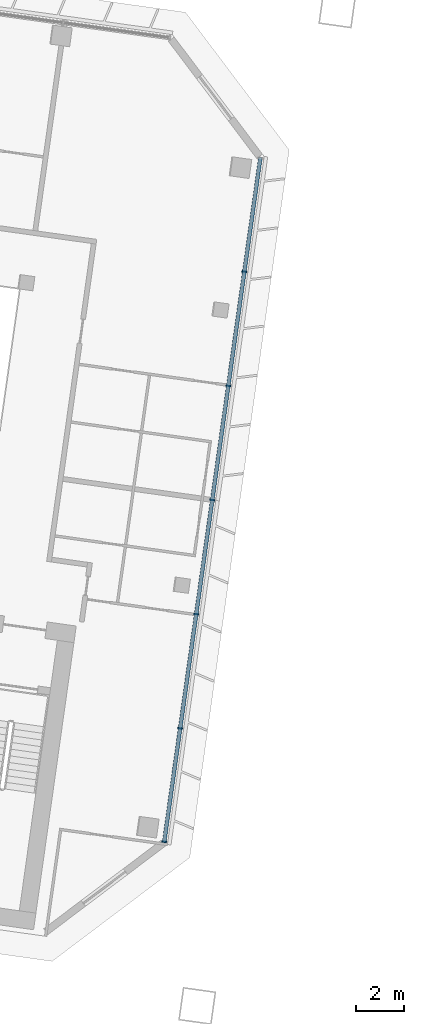
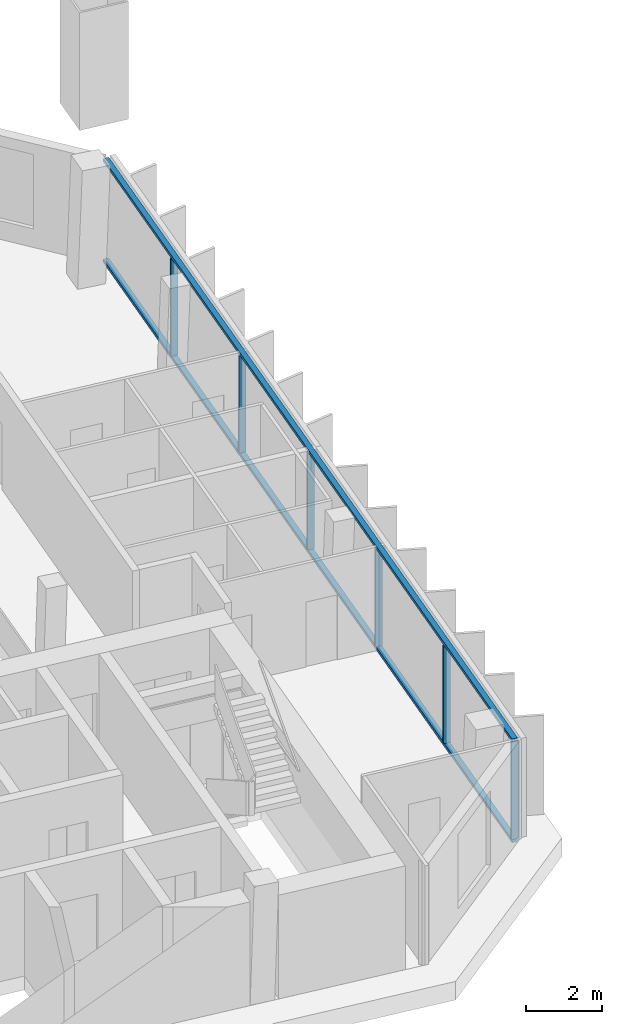
# One storey, part 6 of 26: 8 members, 1 element without a shape of its own.
"""IFC4 building model written with IfcOpenShell, lengths in metres."""

from ifc_helpers import new_model, si_unit, direction, frame, origin, origin_2d, place, context, subcontext, project, spatial, rectangle, extrude, material, material_profile, profile_set, type_object, element, aggregate, save


model = new_model("IFC4")

# Units and contexts
model_context = context("Model", 3, precision=1e-05, world=origin(), true_north=direction((0.0, 1.0)))
body_context = subcontext(model_context, "Body", "Model", "MODEL_VIEW")
ifc_project = project(units=[si_unit("LENGTHUNIT", "METRE"), si_unit("AREAUNIT", "SQUARE_METRE"), si_unit("VOLUMEUNIT", "CUBIC_METRE"), si_unit("PLANEANGLEUNIT", "RADIAN"), si_unit("MASSUNIT", "GRAM", prefix="KILO")], contexts=[model_context])

# Site, building, storey
site_placement = place(None, origin())
site = spatial("IfcSite", under=ifc_project, at=site_placement, CompositionType="ELEMENT")
building_placement = place(site_placement, origin())
building = spatial("IfcBuilding", under=site, at=building_placement, Name="Mirante Cascada Hotel Towers", CompositionType="ELEMENT")
storey_placement = place(building_placement, frame((0.0, 0.0, 168.8)))
storey = spatial("IfcBuildingStorey", under=building, at=storey_placement, Name="L39", CompositionType="ELEMENT", Elevation=168.8)

# Curtain wall, members
ifc_material_1 = material(Name="Aluminium mullion and transom frame with clear laminated glass", Category="aluminium")
curtain_wall_type = type_object("IfcCurtainWallType", Name="End ribbon curtain wall ECW2", PredefinedType="NOTDEFINED", material=ifc_material_1)
curtain_wall_placement = place(storey_placement, origin())
curtain_wall = element("IfcCurtainWall", 1, at=curtain_wall_placement, inside=storey, type_object=curtain_wall_type, Name="Inner end wall T1 L39", PredefinedType="NOTDEFINED")
ifc_material_2 = material(Name="Anodised aluminium extrusion", Category="aluminium")
ifc_material_profile_1 = material_profile(ifc_material_2, rectangle(XDim=0.2, YDim=0.065, at=origin_2d()), Name="ECW2 MULLION 65x200")
ifc_profile_set_1 = profile_set([ifc_material_profile_1], Name="Anodised aluminium extrusion")
member_type_1 = type_object("IfcMemberType", Name="ECW2 mullion 65x200", PredefinedType="MULLION", material=ifc_profile_set_1)
member_1_placement = place(storey_placement, frame((-28.4746, 7.5055, 0.1), z_axis=(0.0, 0.0, 1.0), x_axis=(0.9902681, -0.1391731, 0.0)))
member_1 = element("IfcMember", 2, at=member_1_placement, type_object=member_type_1, Name="ECW2 mullion 2", PredefinedType="MULLION", context=body_context, shape_type="SweptSolid", body=[
    extrude(rectangle(XDim=0.2, YDim=0.065, at=origin_2d()), origin(), (0.0, 0.0, 1.0), 3.15),
])
member_2_placement = place(storey_placement, frame((-29.1444, 2.7397, 0.1), z_axis=(0.0, 0.0, 1.0), x_axis=(0.9902681, -0.1391731, 0.0)))
member_2 = element("IfcMember", 3, at=member_2_placement, type_object=member_type_1, Name="ECW2 mullion 3", PredefinedType="MULLION", context=body_context, shape_type="SweptSolid", body=[
    extrude(rectangle(XDim=0.2, YDim=0.065, at=origin_2d()), origin(), (0.0, 0.0, 1.0), 3.15),
])
member_3_placement = place(storey_placement, frame((-29.8142, -2.0261, 0.1), z_axis=(0.0, 0.0, 1.0), x_axis=(0.9902681, -0.1391731, 0.0)))
member_3 = element("IfcMember", 4, at=member_3_placement, type_object=member_type_1, Name="ECW2 mullion 4", PredefinedType="MULLION", context=body_context, shape_type="SweptSolid", body=[
    extrude(rectangle(XDim=0.2, YDim=0.065, at=origin_2d()), origin(), (0.0, 0.0, 1.0), 3.15),
])
member_4_placement = place(storey_placement, frame((-30.4839, -6.7919, 0.1), z_axis=(0.0, 0.0, 1.0), x_axis=(0.9902681, -0.1391731, 0.0)))
member_4 = element("IfcMember", 5, at=member_4_placement, type_object=member_type_1, Name="ECW2 mullion 5", PredefinedType="MULLION", context=body_context, shape_type="SweptSolid", body=[
    extrude(rectangle(XDim=0.2, YDim=0.065, at=origin_2d()), origin(), (0.0, 0.0, 1.0), 3.15),
])
member_5_placement = place(storey_placement, frame((-31.1537, -11.5577, 0.1), z_axis=(0.0, 0.0, 1.0), x_axis=(0.9902681, -0.1391731, 0.0)))
member_5 = element("IfcMember", 6, at=member_5_placement, type_object=member_type_1, Name="ECW2 mullion 6", PredefinedType="MULLION", context=body_context, shape_type="SweptSolid", body=[
    extrude(rectangle(XDim=0.2, YDim=0.065, at=origin_2d()), origin(), (0.0, 0.0, 1.0), 3.15),
])
member_6_placement = place(storey_placement, frame((-31.819, -16.2913, 0.1), z_axis=(0.0, 0.0, 1.0), x_axis=(0.9902681, -0.1391731, 0.0)))
member_6 = element("IfcMember", 7, at=member_6_placement, type_object=member_type_1, Name="ECW2 mullion 7", PredefinedType="MULLION", context=body_context, shape_type="SweptSolid", body=[
    extrude(rectangle(XDim=0.2, YDim=0.065, at=origin_2d()), origin(), (0.0, 0.0, 1.0), 3.15),
])
ifc_material_3 = material(Name="Anodised aluminium extrusion", Category="aluminium")
ifc_material_profile_2 = material_profile(ifc_material_3, rectangle(XDim=0.16, YDim=0.1, at=origin_2d()), Name="ECW2 TRANSOM 100x160")
ifc_profile_set_2 = profile_set([ifc_material_profile_2], Name="Anodised aluminium extrusion")
member_type_2 = type_object("IfcMemberType", Name="ECW2 transom 100x160", PredefinedType="USERDEFINED", material=ifc_profile_set_2)
member_7_placement = place(storey_placement, frame((-27.8048, 12.2712, 0.05), z_axis=(-0.1391723, -0.9902682, 0.0), x_axis=(0.9902682, -0.1391723, 0.0)))
member_7 = element("IfcMember", 8, at=member_7_placement, type_object=member_type_2, Name="ECW2 sill transom", ObjectType="TRANSOM", PredefinedType="USERDEFINED", context=body_context, shape_type="SweptSolid", body=[
    extrude(rectangle(XDim=0.16, YDim=0.1, at=origin_2d()), origin(), (0.0, 0.0, 1.0), 28.8757),
])
member_8_placement = place(storey_placement, frame((-27.8048, 12.2712, 3.3), z_axis=(-0.1391723, -0.9902682, 0.0), x_axis=(0.9902682, -0.1391723, 0.0)))
member_8 = element("IfcMember", 9, at=member_8_placement, type_object=member_type_2, Name="ECW2 head transom", ObjectType="TRANSOM", PredefinedType="USERDEFINED", context=body_context, shape_type="SweptSolid", body=[
    extrude(rectangle(XDim=0.16, YDim=0.1, at=origin_2d()), origin(), (0.0, 0.0, 1.0), 28.8757),
])
aggregate(curtain_wall, [member_7, member_8, member_1, member_2, member_3, member_4, member_5, member_6])

save(model, "model.ifc")
